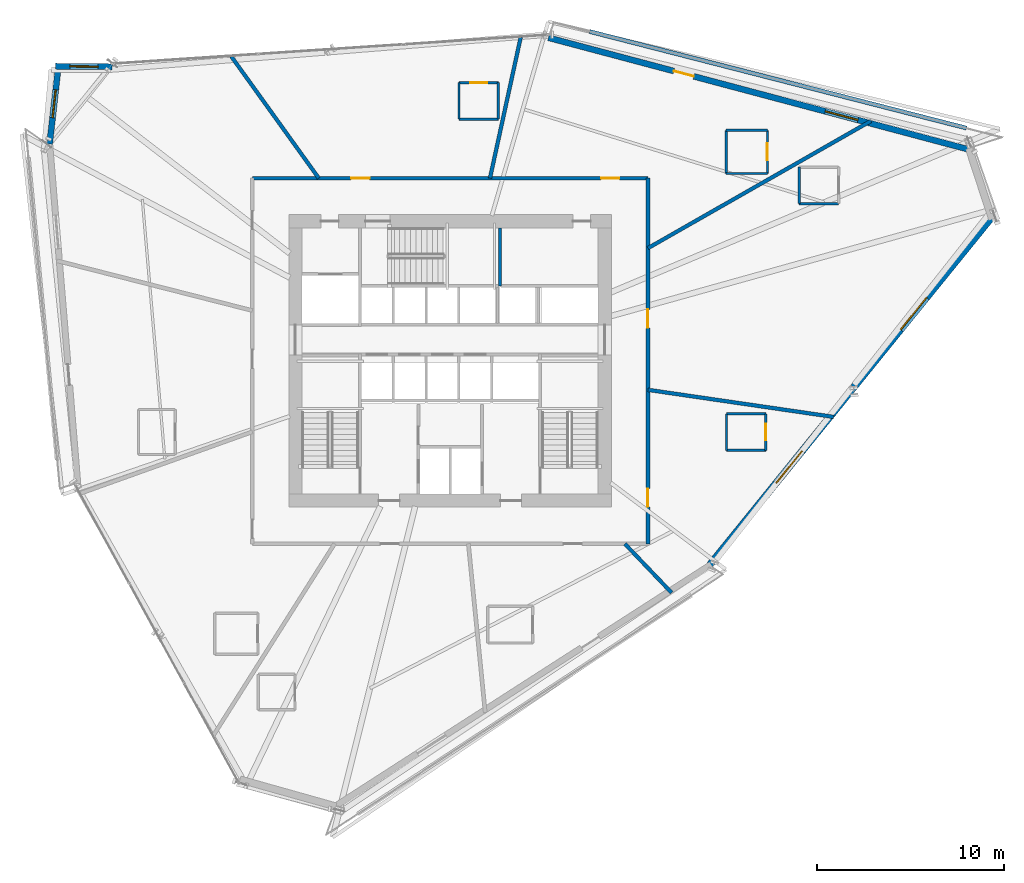
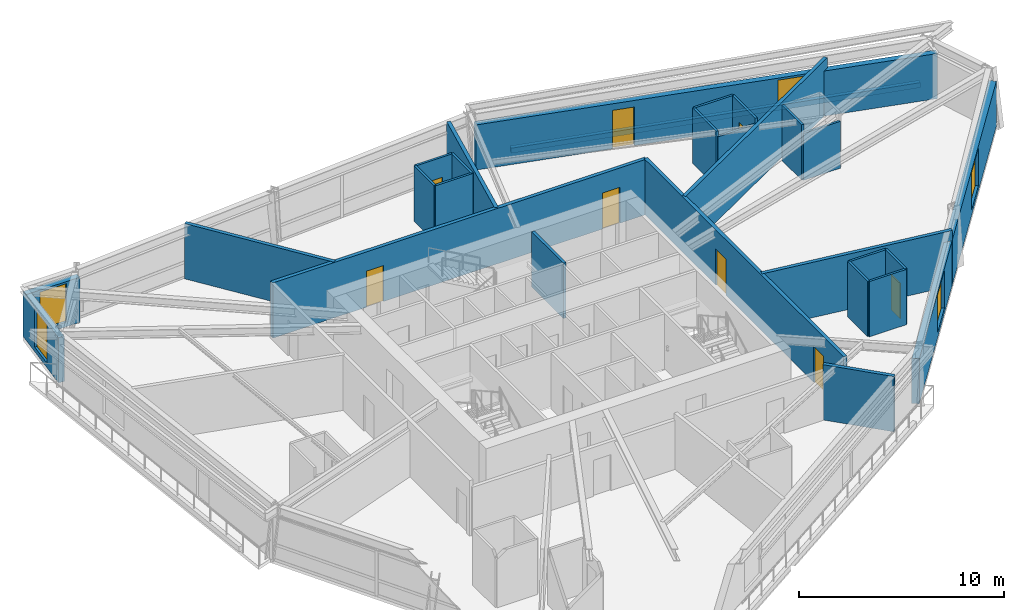
# One storey, part 16 of 21: 27 walls, 8 doors, 5 windows, 13 openings.
"""IFC4 building model written with IfcOpenShell, lengths in metres."""

from ifc_helpers import new_model, si_unit, direction, frame, frame_2d, origin, place, context, subcontext, project, spatial, rectangle, extrude, source, transform, mapped, material, layer, layer_set, type_object, type_shapes, element, fill, save


model = new_model("IFC4")

# Units and contexts
model_context = context("Model", 3, precision=1e-05, world=origin(), true_north=direction((0.0, 1.0)))
body_context = subcontext(model_context, "Body", "Model", "MODEL_VIEW")
ifc_project = project(units=[si_unit("LENGTHUNIT", "METRE"), si_unit("AREAUNIT", "SQUARE_METRE"), si_unit("VOLUMEUNIT", "CUBIC_METRE"), si_unit("PLANEANGLEUNIT", "RADIAN"), si_unit("MASSUNIT", "GRAM", prefix="KILO")], contexts=[model_context])

# Site, building, storey
site_placement = place(None, origin())
site = spatial("IfcSite", under=ifc_project, at=site_placement, CompositionType="ELEMENT")
building_placement = place(site_placement, origin())
building = spatial("IfcBuilding", under=site, at=building_placement, Name="Olszyna Solenne Hotel", CompositionType="ELEMENT")
storey_placement = place(building_placement, frame((0.0, 0.0, 109.25)))
storey = spatial("IfcBuildingStorey", under=building, at=storey_placement, Name="L28", CompositionType="ELEMENT", Elevation=109.25)

# Wall, opening, window
ifc_material_1 = material(Name="Precast concrete C45/55", Category="concrete")
ifc_layer_1 = layer(ifc_material_1, 0.320068359375, Name="Precast concrete C45/55")
ifc_layer_set_1 = layer_set([ifc_layer_1], Name="Precast concrete C45/55")
wall_type_1 = type_object("IfcWallType", Name="WL-EX320", PredefinedType="SOLIDWALL", material=ifc_layer_set_1)
wall_1_placement = place(storey_placement, frame((16.637939453125, 38.17041015625, 0.0), z_axis=(0.0, 0.0, 1.0), x_axis=(0.112143625954, 0.993692008199, 0.0)))
wall_1 = element("IfcWall", 1, at=wall_1_placement, inside=storey, type_object=wall_type_1, Name="Exterior terracotta-precast frame wall WL-EX320 EW-L28-05", PredefinedType="SOLIDWALL", context=body_context, shape_type="SweptSolid", body=[
    extrude(rectangle(XDim=4.3193359375, YDim=0.320068359375, at=frame_2d((2.15966796875, 0.0))), origin(), (0.0, 0.0, 1.0), 2.69189453125),
])
opening_1_placement = place(wall_1_placement, frame((1.409912109375, 0.0, 0.27197265625)))
opening_1 = element("IfcOpeningElement", 2, at=opening_1_placement, cuts=wall_1, Name="Opening WN-L28-156", PredefinedType="OPENING", context=body_context, shape_type="SweptSolid", body=[
    extrude(rectangle(XDim=1.5, YDim=2.300048828125, at=frame_2d((0.75, 1.14990234375))), frame((0.0, 0.169921875, 0.0), z_axis=(0.0, -1.0, 0.0), x_axis=(1.0, 0.0, 0.0)), (0.0, 0.0, 1.0), 0.340087890625),
])
ifc_material_2 = material(Name="Low-E triple glazing", Category="glass")
window_type_1 = type_object("IfcWindowType", Name="WN-CH1", PartitioningType="SINGLE_PANEL", PredefinedType="WINDOW", material=ifc_material_2)
shared_shape_1 = source(origin(), body_context, "Body", "SweptSolid", [
    extrude(rectangle(XDim=1.5, YDim=2.300048828125, at=frame_2d((0.75, 1.14990234375))), frame((0.0, 0.030029296875, 0.0), z_axis=(0.0, -1.0, 0.0), x_axis=(1.0, 0.0, 0.0)), (0.0, 0.0, 1.0), 0.06005859375),
])
type_shapes(window_type_1, [shared_shape_1])
window_1_placement = place(opening_1_placement, origin())
window_1 = element("IfcWindow", 3, at=window_1_placement, inside=storey, type_object=window_type_1, Name="Exterior facade window WN-CH1 WN-L28-156", OverallHeight=2.300048828125, OverallWidth=1.5, PartitioningType="SINGLE_PANEL", PredefinedType="WINDOW", context=body_context, shape_type="MappedRepresentation", body=[
    mapped(shared_shape_1, transform((0.0, 0.0, 0.0), x_axis=(1.0, 0.0, 0.0), y_axis=(0.0, 1.0, 0.0), z_axis=(0.0, 0.0, 1.0), scale=1.0)),
])
fill(opening_1, window_1)

wall_2_placement = place(storey_placement, frame((16.961669921875, 42.3203125, 0.0), z_axis=(0.0, 0.0, 1.0), x_axis=(0.999952850652, -0.009710637054, 0.0)))
wall_2 = element("IfcWall", 4, at=wall_2_placement, inside=storey, type_object=wall_type_1, Name="Exterior terracotta-precast frame wall WL-EX320 EW-L28-06", PredefinedType="SOLIDWALL", context=body_context, shape_type="SweptSolid", body=[
    extrude(rectangle(XDim=3.01708984375, YDim=0.320068359375, at=frame_2d((1.508544921875, 0.0))), origin(), (0.0, 0.0, 1.0), 2.69189453125),
])
opening_2_placement = place(wall_2_placement, frame((0.759033203125, 0.0, 0.27197265625)))
opening_2 = element("IfcOpeningElement", 5, at=opening_2_placement, cuts=wall_2, Name="Opening WN-L28-157", PredefinedType="OPENING", context=body_context, shape_type="SweptSolid", body=[
    extrude(rectangle(XDim=1.5, YDim=2.300048828125, at=frame_2d((0.75, 1.14990234375))), frame((0.0, 0.169921875, 0.0), z_axis=(0.0, -1.0, 0.0), x_axis=(1.0, 0.0, 0.0)), (0.0, 0.0, 1.0), 0.340087890625),
])
window_2_placement = place(opening_2_placement, origin())
window_2 = element("IfcWindow", 6, at=window_2_placement, inside=storey, type_object=window_type_1, Name="Exterior facade window WN-CH1 WN-L28-157", OverallHeight=2.300048828125, OverallWidth=1.5, PartitioningType="SINGLE_PANEL", PredefinedType="WINDOW", context=body_context, shape_type="MappedRepresentation", body=[
    mapped(shared_shape_1, transform((0.0, 0.0, 0.0), x_axis=(1.0, 0.0, 0.0), y_axis=(0.0, 1.0, 0.0), z_axis=(0.0, 0.0, 1.0), scale=1.0)),
])
fill(opening_2, window_2)

# Wall, openings, door, window
wall_3_placement = place(storey_placement, frame((43.2412109375, 43.842529296875, 0.0), z_axis=(0.0, 0.0, 1.0), x_axis=(0.966426577456, -0.256942932161, 0.0)))
wall_3 = element("IfcWall", 7, at=wall_3_placement, inside=storey, type_object=wall_type_1, Name="Exterior terracotta-precast frame wall WL-EX320 EW-L28-08", PredefinedType="SOLIDWALL", context=body_context, shape_type="SweptSolid", body=[
    extrude(rectangle(XDim=23.353271484375, YDim=0.320068359375, at=frame_2d((11.6767578125, 0.0))), origin(), (0.0, 0.0, 1.0), 2.69189453125),
])
opening_3_placement = place(wall_3_placement, frame((6.923095703125, 0.0, 0.0)))
opening_3 = element("IfcOpeningElement", 8, at=opening_3_placement, cuts=wall_3, Name="Opening LDG-L28-1", PredefinedType="OPENING", context=body_context, shape_type="SweptSolid", body=[
    extrude(rectangle(XDim=1.10009765625, YDim=2.300048828125, at=frame_2d((0.550048828125, 1.14990234375))), frame((0.0, 0.169921875, 0.0), z_axis=(0.0, -1.0, 0.0), x_axis=(1.0, 0.0, 0.0)), (0.0, 0.0, 1.0), 0.340087890625),
])
opening_4_placement = place(wall_3_placement, frame((15.281005859375, 0.0, 0.3720703125)))
opening_4 = element("IfcOpeningElement", 9, at=opening_4_placement, cuts=wall_3, Name="Opening WN-L28-158", PredefinedType="OPENING", context=body_context, shape_type="SweptSolid", body=[
    extrude(rectangle(XDim=1.800048828125, YDim=2.199951171875, at=frame_2d((0.89990234375, 1.10009765625))), frame((0.0, 0.169921875, 0.0), z_axis=(0.0, -1.0, 0.0), x_axis=(1.0, 0.0, 0.0)), (0.0, 0.0, 1.0), 0.340087890625),
])
ifc_material_3 = material(Name="Anodised bronze aluminium", Category="aluminium")
door_type_1 = type_object("IfcDoorType", Name="DR-LG1", OperationType="NOTDEFINED", PredefinedType="DOOR", material=ifc_material_3)
shared_shape_2 = source(origin(), body_context, "Body", "SweptSolid", [
    extrude(rectangle(XDim=1.10009765625, YDim=2.300048828125, at=frame_2d((0.550048828125, 1.14990234375))), frame((0.0, 0.02490234375, 0.0), z_axis=(0.0, -1.0, 0.0), x_axis=(1.0, 0.0, 0.0)), (0.0, 0.0, 1.0), 0.050048828125),
])
type_shapes(door_type_1, [shared_shape_2])
door_1_placement = place(opening_3_placement, origin())
door_1 = element("IfcDoor", 10, at=door_1_placement, inside=storey, type_object=door_type_1, Name="Exterior loggia balcony door DR-LG1 LDG-L28-1", OperationType="SINGLE_SWING_RIGHT", OverallHeight=2.300048828125, OverallWidth=1.10009765625, PredefinedType="DOOR", context=body_context, shape_type="MappedRepresentation", body=[
    mapped(shared_shape_2, transform((0.0, 0.0, 0.0), x_axis=(1.0, 0.0, 0.0), y_axis=(0.0, 1.0, 0.0), z_axis=(0.0, 0.0, 1.0), scale=1.0)),
])
fill(opening_3, door_1)
window_type_2 = type_object("IfcWindowType", Name="WN-HT1", PartitioningType="SINGLE_PANEL", PredefinedType="WINDOW", material=ifc_material_2)
shared_shape_3 = source(origin(), body_context, "Body", "SweptSolid", [
    extrude(rectangle(XDim=1.800048828125, YDim=2.199951171875, at=frame_2d((0.89990234375, 1.10009765625))), frame((0.0, 0.030029296875, 0.0), z_axis=(0.0, -1.0, 0.0), x_axis=(1.0, 0.0, 0.0)), (0.0, 0.0, 1.0), 0.06005859375),
])
type_shapes(window_type_2, [shared_shape_3])
window_3_placement = place(opening_4_placement, origin())
window_3 = element("IfcWindow", 11, at=window_3_placement, inside=storey, type_object=window_type_2, Name="Loggia room window WN-HT1 WN-L28-158", OverallHeight=2.199951171875, OverallWidth=1.800048828125, PartitioningType="SINGLE_PANEL", PredefinedType="WINDOW", context=body_context, shape_type="MappedRepresentation", body=[
    mapped(shared_shape_3, transform((0.0, 0.0, 0.0), x_axis=(1.0, 0.0, 0.0), y_axis=(0.0, 1.0, 0.0), z_axis=(0.0, 0.0, 1.0), scale=1.0)),
])
fill(opening_4, window_3)

# Wall, openings, windows
ifc_material_4 = material(Name="Terracotta cladding on precast concrete C45/55", Category="masonry")
ifc_layer_2 = layer(ifc_material_4, 0.3798828125, Name="Terracotta cladding on precast concrete C45/55")
ifc_layer_set_2 = layer_set([ifc_layer_2], Name="Terracotta cladding on precast concrete C45/55")
wall_type_2 = type_object("IfcWallType", Name="WL-EX380", PredefinedType="SOLIDWALL", material=ifc_layer_set_2)
wall_4_placement = place(storey_placement, frame((66.944091796875, 34.333984375, 0.0), z_axis=(0.0, 0.0, 1.0), x_axis=(-0.629923947576, -0.776656822715, 0.0)))
wall_4 = element("IfcWall", 12, at=wall_4_placement, inside=storey, type_object=wall_type_2, Name="Exterior terracotta-precast frame wall WL-EX380 EW-L28-10", PredefinedType="SOLIDWALL", context=body_context, shape_type="SweptSolid", body=[
    extrude(rectangle(XDim=23.95263671875, YDim=0.3798828125, at=frame_2d((11.976318359375, 0.0))), origin(), (0.0, 0.0, 1.0), 2.69189453125),
])
opening_5_placement = place(wall_4_placement, frame((5.60693359375, 0.0, 0.322021484375)))
opening_5 = element("IfcOpeningElement", 13, at=opening_5_placement, cuts=wall_4, Name="Opening WN-L28-159", PredefinedType="OPENING", context=body_context, shape_type="SweptSolid", body=[
    extrude(rectangle(XDim=2.199951171875, YDim=2.25, at=frame_2d((1.10009765625, 1.125))), frame((0.0, 0.199951171875, 0.0), z_axis=(0.0, -1.0, 0.0), x_axis=(1.0, 0.0, 0.0)), (0.0, 0.0, 1.0), 0.39990234375),
])
opening_6_placement = place(wall_4_placement, frame((16.14599609375, 0.0, 0.322021484375)))
opening_6 = element("IfcOpeningElement", 14, at=opening_6_placement, cuts=wall_4, Name="Opening WN-L28-160", PredefinedType="OPENING", context=body_context, shape_type="SweptSolid", body=[
    extrude(rectangle(XDim=2.199951171875, YDim=2.25, at=frame_2d((1.10009765625, 1.125))), frame((0.0, 0.199951171875, 0.0), z_axis=(0.0, -1.0, 0.0), x_axis=(1.0, 0.0, 0.0)), (0.0, 0.0, 1.0), 0.39990234375),
])
window_type_3 = type_object("IfcWindowType", Name="WN-HT2", PartitioningType="SINGLE_PANEL", PredefinedType="WINDOW", material=ifc_material_2)
shared_shape_4 = source(origin(), body_context, "Body", "SweptSolid", [
    extrude(rectangle(XDim=2.199951171875, YDim=2.25, at=frame_2d((1.10009765625, 1.125))), frame((0.0, 0.030029296875, 0.0), z_axis=(0.0, -1.0, 0.0), x_axis=(1.0, 0.0, 0.0)), (0.0, 0.0, 1.0), 0.06005859375),
])
type_shapes(window_type_3, [shared_shape_4])
window_4_placement = place(opening_5_placement, origin())
window_4 = element("IfcWindow", 15, at=window_4_placement, inside=storey, type_object=window_type_3, Name="Exterior facade window WN-HT2 WN-L28-159", OverallHeight=2.25, OverallWidth=2.199951171875, PartitioningType="SINGLE_PANEL", PredefinedType="WINDOW", context=body_context, shape_type="MappedRepresentation", body=[
    mapped(shared_shape_4, transform((0.0, 0.0, 0.0), x_axis=(1.0, 0.0, 0.0), y_axis=(0.0, 1.0, 0.0), z_axis=(0.0, 0.0, 1.0), scale=1.0)),
])
fill(opening_5, window_4)
window_5_placement = place(opening_6_placement, origin())
window_5 = element("IfcWindow", 16, at=window_5_placement, inside=storey, type_object=window_type_3, Name="Exterior facade window WN-HT2 WN-L28-160", OverallHeight=2.25, OverallWidth=2.199951171875, PartitioningType="SINGLE_PANEL", PredefinedType="WINDOW", context=body_context, shape_type="MappedRepresentation", body=[
    mapped(shared_shape_4, transform((0.0, 0.0, 0.0), x_axis=(1.0, 0.0, 0.0), y_axis=(0.0, 1.0, 0.0), z_axis=(0.0, 0.0, 1.0), scale=1.0)),
])
fill(opening_6, window_5)

# Wall
ifc_layer_3 = layer(ifc_material_1, 0.219970703125, Name="Precast concrete C45/55")
ifc_layer_set_3 = layer_set([ifc_layer_3], Name="Precast concrete C45/55")
wall_type_3 = type_object("IfcWallType", Name="WL-PR220", PredefinedType="PARAPET", material=ifc_layer_set_3)
wall_5_placement = place(storey_placement, frame((65.5419921875, 39.02197265625, 0.0), z_axis=(0.0, 0.0, 1.0), x_axis=(-0.968702389273, 0.248225061217, 0.0)))
element("IfcWall", 17, at=wall_5_placement, inside=storey, type_object=wall_type_3, Name="Loggia balcony precast kerb PR-L28-LG1", PredefinedType="PARAPET", context=body_context, shape_type="SweptSolid", body=[
    extrude(rectangle(XDim=20.75390625, YDim=0.219970703125, at=frame_2d((10.376953125, 0.0))), origin(), (0.0, 0.0, 1.0), 0.300048828125),
])

# Wall, opening, door
ifc_material_5 = material(Name="Acoustic gypsum partition", Category="gypsum")
ifc_layer_4 = layer(ifc_material_5, 0.125, Name="Acoustic gypsum partition")
ifc_layer_set_4 = layer_set([ifc_layer_4], Name="Acoustic gypsum partition")
wall_type_4 = type_object("IfcWallType", Name="WL-PT125", PredefinedType="PARTITIONING", material=ifc_layer_set_4)
wall_6_placement = place(storey_placement, frame((54.840087890625, 21.8349609375, 0.0), z_axis=(0.0, 0.0, 1.0), x_axis=(0.0, 1.0, 0.0)))
wall_6 = element("IfcWall", 18, at=wall_6_placement, inside=storey, type_object=wall_type_4, Name="Interior acoustic partition WL-PT125 PW-L28-1638", PredefinedType="PARTITIONING", context=body_context, shape_type="SweptSolid", body=[
    extrude(rectangle(XDim=1.949951171875, YDim=0.125, at=frame_2d((0.97509765625, 0.0))), origin(), (0.0, 0.0, 1.0), 3.300048828125),
])
opening_7_placement = place(wall_6_placement, frame((0.52490234375, 0.0, 0.0)))
opening_7 = element("IfcOpeningElement", 19, at=opening_7_placement, cuts=wall_6, Name="Opening DR-L28-0386", PredefinedType="OPENING", context=body_context, shape_type="SweptSolid", body=[
    extrude(rectangle(XDim=0.89990234375, YDim=2.10009765625, at=frame_2d((0.449951171875, 1.050048828125))), frame((0.0, 0.072509765625, 0.0), z_axis=(0.0, -1.0, 0.0), x_axis=(1.0, 0.0, 0.0)), (0.0, 0.0, 1.0), 0.14501953125),
])
ifc_material_6 = material(Name="Timber hardwood", Category="wood")
door_type_2 = type_object("IfcDoorType", Name="DR-WC1", OperationType="NOTDEFINED", PredefinedType="DOOR", material=ifc_material_6)
shared_shape_5 = source(origin(), body_context, "Body", "SweptSolid", [
    extrude(rectangle(XDim=0.89990234375, YDim=2.10009765625, at=frame_2d((0.449951171875, 1.050048828125))), frame((0.0, 0.02490234375, 0.0), z_axis=(0.0, -1.0, 0.0), x_axis=(1.0, 0.0, 0.0)), (0.0, 0.0, 1.0), 0.050048828125),
])
type_shapes(door_type_2, [shared_shape_5])
door_2_placement = place(opening_7_placement, origin())
door_2 = element("IfcDoor", 20, at=door_2_placement, inside=storey, type_object=door_type_2, Name="En-Suite Bathroom Door DR-L28-0386", OperationType="SINGLE_SWING_LEFT", OverallHeight=2.10009765625, OverallWidth=0.89990234375, PredefinedType="DOOR", context=body_context, shape_type="MappedRepresentation", body=[
    mapped(shared_shape_5, transform((0.0, 0.0, 0.0), x_axis=(1.0, 0.0, 0.0), y_axis=(0.0, 1.0, 0.0), z_axis=(0.0, 0.0, 1.0), scale=1.0)),
])
fill(opening_7, door_2)

# Walls
wall_7_placement = place(storey_placement, frame((54.840087890625, 23.784912109375, 0.0), z_axis=(0.0, 0.0, 1.0), x_axis=(-1.0, 0.0, 0.0)))
element("IfcWall", 21, at=wall_7_placement, inside=storey, type_object=wall_type_4, Name="Interior acoustic partition WL-PT125 PW-L28-1639", PredefinedType="PARTITIONING", context=body_context, shape_type="SweptSolid", body=[
    extrude(rectangle(XDim=2.10009765625, YDim=0.125, at=frame_2d((1.050048828125, 0.0))), origin(), (0.0, 0.0, 1.0), 3.300048828125),
])
wall_8_placement = place(storey_placement, frame((52.739990234375, 23.784912109375, 0.0), z_axis=(0.0, 0.0, 1.0), x_axis=(0.0, -1.0, 0.0)))
element("IfcWall", 22, at=wall_8_placement, inside=storey, type_object=wall_type_4, Name="Interior acoustic partition WL-PT125 PW-L28-1640", PredefinedType="PARTITIONING", context=body_context, shape_type="SweptSolid", body=[
    extrude(rectangle(XDim=1.949951171875, YDim=0.125, at=frame_2d((0.97509765625, 0.0))), origin(), (0.0, 0.0, 1.0), 3.300048828125),
])
wall_9_placement = place(storey_placement, frame((52.739990234375, 21.8349609375, 0.0), z_axis=(0.0, 0.0, 1.0), x_axis=(1.0, 0.0, 0.0)))
element("IfcWall", 23, at=wall_9_placement, inside=storey, type_object=wall_type_4, Name="Interior acoustic partition WL-PT125 PW-L28-1641", PredefinedType="PARTITIONING", context=body_context, shape_type="SweptSolid", body=[
    extrude(rectangle(XDim=2.10009765625, YDim=0.125, at=frame_2d((1.050048828125, 0.0))), origin(), (0.0, 0.0, 1.0), 3.300048828125),
])
wall_10_placement = place(storey_placement, frame((56.6201171875, 36.93994140625, 0.0), z_axis=(0.0, 0.0, 1.0), x_axis=(0.0, -1.0, 0.0)))
element("IfcWall", 24, at=wall_10_placement, inside=storey, type_object=wall_type_4, Name="Interior acoustic partition WL-PT125 PW-L28-1644", PredefinedType="PARTITIONING", context=body_context, shape_type="SweptSolid", body=[
    extrude(rectangle(XDim=1.949951171875, YDim=0.125, at=frame_2d((0.97509765625, 0.0))), origin(), (0.0, 0.0, 1.0), 3.300048828125),
])
wall_11_placement = place(storey_placement, frame((56.6201171875, 34.989990234375, 0.0), z_axis=(0.0, 0.0, 1.0), x_axis=(1.0, 0.0, 0.0)))
element("IfcWall", 25, at=wall_11_placement, inside=storey, type_object=wall_type_4, Name="Interior acoustic partition WL-PT125 PW-L28-1645", PredefinedType="PARTITIONING", context=body_context, shape_type="SweptSolid", body=[
    extrude(rectangle(XDim=2.099853515625, YDim=0.125, at=frame_2d((1.0498046875, 0.0))), origin(), (0.0, 0.0, 1.0), 2.794921875),
])

# Wall, opening, door
wall_12_placement = place(storey_placement, frame((54.925048828125, 36.60205078125, 0.0), z_axis=(0.0, 0.0, 1.0), x_axis=(0.0, 1.0, 0.0)))
wall_12 = element("IfcWall", 26, at=wall_12_placement, inside=storey, type_object=wall_type_4, Name="Interior acoustic partition WL-PT125 PW-L28-1646", PredefinedType="PARTITIONING", context=body_context, shape_type="SweptSolid", body=[
    extrude(rectangle(XDim=2.300048828125, YDim=0.125, at=frame_2d((1.14990234375, 0.0))), origin(), (0.0, 0.0, 1.0), 3.300048828125),
])
opening_8_placement = place(wall_12_placement, frame((0.699951171875, 0.0, 0.0)))
opening_8 = element("IfcOpeningElement", 27, at=opening_8_placement, cuts=wall_12, Name="Opening DR-L28-0388", PredefinedType="OPENING", context=body_context, shape_type="SweptSolid", body=[
    extrude(rectangle(XDim=0.89990234375, YDim=2.10009765625, at=frame_2d((0.449951171875, 1.050048828125))), frame((0.0, 0.072509765625, 0.0), z_axis=(0.0, -1.0, 0.0), x_axis=(1.0, 0.0, 0.0)), (0.0, 0.0, 1.0), 0.14501953125),
])
door_3_placement = place(opening_8_placement, origin())
door_3 = element("IfcDoor", 28, at=door_3_placement, inside=storey, type_object=door_type_2, Name="En-Suite Bathroom Door DR-L28-0388", OperationType="SINGLE_SWING_LEFT", OverallHeight=2.10009765625, OverallWidth=0.89990234375, PredefinedType="DOOR", context=body_context, shape_type="MappedRepresentation", body=[
    mapped(shared_shape_5, transform((0.0, 0.0, 0.0), x_axis=(1.0, 0.0, 0.0), y_axis=(0.0, 1.0, 0.0), z_axis=(0.0, 0.0, 1.0), scale=1.0)),
])
fill(opening_8, door_3)

# Walls
wall_13_placement = place(storey_placement, frame((54.925048828125, 38.902099609375, 0.0), z_axis=(0.0, 0.0, 1.0), x_axis=(-1.0, 0.0, 0.0)))
element("IfcWall", 29, at=wall_13_placement, inside=storey, type_object=wall_type_4, Name="Interior acoustic partition WL-PT125 PW-L28-1647", PredefinedType="PARTITIONING", context=body_context, shape_type="SweptSolid", body=[
    extrude(rectangle(XDim=2.199951171875, YDim=0.125, at=frame_2d((1.10009765625, 0.0))), origin(), (0.0, 0.0, 1.0), 3.300048828125),
])
wall_14_placement = place(storey_placement, frame((52.72509765625, 38.902099609375, 0.0), z_axis=(0.0, 0.0, 1.0), x_axis=(0.0, -1.0, 0.0)))
element("IfcWall", 30, at=wall_14_placement, inside=storey, type_object=wall_type_4, Name="Interior acoustic partition WL-PT125 PW-L28-1648", PredefinedType="PARTITIONING", context=body_context, shape_type="SweptSolid", body=[
    extrude(rectangle(XDim=2.300048828125, YDim=0.125, at=frame_2d((1.14990234375, 0.0))), origin(), (0.0, 0.0, 1.0), 3.300048828125),
])
wall_15_placement = place(storey_placement, frame((52.72509765625, 36.60205078125, 0.0), z_axis=(0.0, 0.0, 1.0), x_axis=(1.0, 0.0, 0.0)))
element("IfcWall", 31, at=wall_15_placement, inside=storey, type_object=wall_type_4, Name="Interior acoustic partition WL-PT125 PW-L28-1649", PredefinedType="PARTITIONING", context=body_context, shape_type="SweptSolid", body=[
    extrude(rectangle(XDim=2.199951171875, YDim=0.125, at=frame_2d((1.10009765625, 0.0))), origin(), (0.0, 0.0, 1.0), 2.985107421875),
])
wall_16_placement = place(storey_placement, frame((40.573974609375, 39.498046875, 0.0), z_axis=(0.0, 0.0, 1.0), x_axis=(0.0, 1.0, 0.0)))
element("IfcWall", 32, at=wall_16_placement, inside=storey, type_object=wall_type_4, Name="Interior acoustic partition WL-PT125 PW-L28-1650", PredefinedType="PARTITIONING", context=body_context, shape_type="SweptSolid", body=[
    extrude(rectangle(XDim=1.949951171875, YDim=0.125, at=frame_2d((0.97509765625, 0.0))), origin(), (0.0, 0.0, 1.0), 3.300048828125),
])

# Wall, opening, door
wall_17_placement = place(storey_placement, frame((40.573974609375, 41.447998046875, 0.0), z_axis=(0.0, 0.0, 1.0), x_axis=(-1.0, 0.0, 0.0)))
wall_17 = element("IfcWall", 33, at=wall_17_placement, inside=storey, type_object=wall_type_4, Name="Interior acoustic partition WL-PT125 PW-L28-1651", PredefinedType="PARTITIONING", context=body_context, shape_type="SweptSolid", body=[
    extrude(rectangle(XDim=2.099853515625, YDim=0.125, at=frame_2d((1.0498046875, 0.0))), origin(), (0.0, 0.0, 1.0), 3.300048828125),
])
opening_9_placement = place(wall_17_placement, frame((0.60009765625, 0.0, 0.0)))
opening_9 = element("IfcOpeningElement", 34, at=opening_9_placement, cuts=wall_17, Name="Opening DR-L28-0389", PredefinedType="OPENING", context=body_context, shape_type="SweptSolid", body=[
    extrude(rectangle(XDim=0.89990234375, YDim=2.10009765625, at=frame_2d((0.449951171875, 1.050048828125))), frame((0.0, 0.072509765625, 0.0), z_axis=(0.0, -1.0, 0.0), x_axis=(1.0, 0.0, 0.0)), (0.0, 0.0, 1.0), 0.14501953125),
])
door_4_placement = place(opening_9_placement, origin())
door_4 = element("IfcDoor", 35, at=door_4_placement, inside=storey, type_object=door_type_2, Name="En-Suite Bathroom Door DR-L28-0389", OperationType="SINGLE_SWING_RIGHT", OverallHeight=2.10009765625, OverallWidth=0.89990234375, PredefinedType="DOOR", context=body_context, shape_type="MappedRepresentation", body=[
    mapped(shared_shape_5, transform((0.0, 0.0, 0.0), x_axis=(1.0, 0.0, 0.0), y_axis=(0.0, 1.0, 0.0), z_axis=(0.0, 0.0, 1.0), scale=1.0)),
])
fill(opening_9, door_4)

# Walls
wall_18_placement = place(storey_placement, frame((38.47412109375, 41.447998046875, 0.0), z_axis=(0.0, 0.0, 1.0), x_axis=(0.0, -1.0, 0.0)))
element("IfcWall", 36, at=wall_18_placement, inside=storey, type_object=wall_type_4, Name="Interior acoustic partition WL-PT125 PW-L28-1652", PredefinedType="PARTITIONING", context=body_context, shape_type="SweptSolid", body=[
    extrude(rectangle(XDim=1.949951171875, YDim=0.125, at=frame_2d((0.97509765625, 0.0))), origin(), (0.0, 0.0, 1.0), 3.300048828125),
])
wall_19_placement = place(storey_placement, frame((38.47412109375, 39.498046875, 0.0), z_axis=(0.0, 0.0, 1.0), x_axis=(1.0, 0.0, 0.0)))
element("IfcWall", 37, at=wall_19_placement, inside=storey, type_object=wall_type_4, Name="Interior acoustic partition WL-PT125 PW-L28-1653", PredefinedType="PARTITIONING", context=body_context, shape_type="SweptSolid", body=[
    extrude(rectangle(XDim=2.099853515625, YDim=0.125, at=frame_2d((1.0498046875, 0.0))), origin(), (0.0, 0.0, 1.0), 3.300048828125),
])
ifc_layer_5 = layer(ifc_material_5, 0.159912109375, Name="Acoustic gypsum partition")
ifc_layer_set_5 = layer_set([ifc_layer_5], Name="Acoustic gypsum partition")
wall_type_5 = type_object("IfcWallType", Name="WL-PT160", PredefinedType="PARTITIONING", material=ifc_layer_set_5)
wall_20_placement = place(storey_placement, frame((40.659912109375, 30.60009765625, 0.0), z_axis=(0.0, 0.0, 1.0), x_axis=(0.0, 1.0, 0.0)))
element("IfcWall", 38, at=wall_20_placement, inside=storey, type_object=wall_type_5, Name="Core shaft compartment wall CW-L28-ST3E", PredefinedType="PARTITIONING", context=body_context, shape_type="SweptSolid", body=[
    extrude(rectangle(XDim=3.099853515625, YDim=0.159912109375, at=frame_2d((1.5498046875, 0.0))), origin(), (0.0, 0.0, 1.0), 3.300048828125),
])
ifc_layer_6 = layer(ifc_material_5, 0.199951171875, Name="Acoustic gypsum partition")
ifc_layer_set_6 = layer_set([ifc_layer_6], Name="Acoustic gypsum partition")
wall_type_6 = type_object("IfcWallType", Name="WL-PT200", PredefinedType="PARTITIONING", material=ifc_layer_set_6)
wall_21_placement = place(storey_placement, frame((47.3173828125, 16.85009765625, 0.0), z_axis=(0.0, 0.0, 1.0), x_axis=(0.690838930263, -0.723008694576, 0.0)))
element("IfcWall", 39, at=wall_21_placement, inside=storey, type_object=wall_type_6, Name="Interior acoustic partition WL-PT200 PW-L28-1620", PredefinedType="PARTITIONING", context=body_context, shape_type="SweptSolid", body=[
    extrude(rectangle(XDim=3.612548828125, YDim=0.199951171875, at=frame_2d((1.80615234375, 0.0))), origin(), (0.0, 0.0, 1.0), 3.300048828125),
])
wall_22_placement = place(storey_placement, frame((48.550048828125, 25.060791015625, 0.0), z_axis=(0.0, 0.0, 1.0), x_axis=(0.989528192481, -0.144339725252, 0.0)))
element("IfcWall", 40, at=wall_22_placement, inside=storey, type_object=wall_type_6, Name="Interior acoustic partition WL-PT200 PW-L28-1621", PredefinedType="PARTITIONING", context=body_context, shape_type="SweptSolid", body=[
    extrude(rectangle(XDim=10.011474609375, YDim=0.199951171875, at=frame_2d((5.005859375, 0.0))), origin(), (0.0, 0.0, 1.0), 3.300048828125),
])
wall_23_placement = place(storey_placement, frame((48.550048828125, 32.61767578125, 0.0), z_axis=(0.0, 0.0, 1.0), x_axis=(0.868633427324, 0.495455314771, 0.0)))
element("IfcWall", 41, at=wall_23_placement, inside=storey, type_object=wall_type_6, Name="Interior acoustic partition WL-PT200 PW-L28-1622", PredefinedType="PARTITIONING", context=body_context, shape_type="SweptSolid", body=[
    extrude(rectangle(XDim=13.69482421875, YDim=0.199951171875, at=frame_2d((6.847412109375, 0.0))), origin(), (0.0, 0.0, 1.0), 3.300048828125),
])
wall_24_placement = place(storey_placement, frame((40.125732421875, 36.35009765625, 0.0), z_axis=(0.0, 0.0, 1.0), x_axis=(0.213047548257, 0.97704183236, 0.0)))
element("IfcWall", 42, at=wall_24_placement, inside=storey, type_object=wall_type_6, Name="Interior acoustic partition WL-PT200 PW-L28-1623", PredefinedType="PARTITIONING", context=body_context, shape_type="SweptSolid", body=[
    extrude(rectangle(XDim=7.692626953125, YDim=0.199951171875, at=frame_2d((3.84619140625, 0.0))), origin(), (0.0, 0.0, 1.0), 3.300048828125),
])
wall_25_placement = place(storey_placement, frame((30.993896484375, 36.35009765625, 0.0), z_axis=(0.0, 0.0, 1.0), x_axis=(-0.583535361987, 0.812087730058, 0.0)))
element("IfcWall", 43, at=wall_25_placement, inside=storey, type_object=wall_type_6, Name="Interior acoustic partition WL-PT200 PW-L28-1624", PredefinedType="PARTITIONING", context=body_context, shape_type="SweptSolid", body=[
    extrude(rectangle(XDim=7.994384765625, YDim=0.199951171875, at=frame_2d((3.9970703125, 0.0))), origin(), (0.0, 0.0, 1.0), 3.300048828125),
])

# Wall, openings, doors
wall_26_placement = place(storey_placement, frame((27.449951171875, 36.35009765625, 0.0), z_axis=(0.0, 0.0, 1.0), x_axis=(1.0, 0.0, 0.0)))
wall_26 = element("IfcWall", 44, at=wall_26_placement, inside=storey, type_object=wall_type_6, Name="Interior acoustic partition WL-PT200 PW-L28-1660", PredefinedType="PARTITIONING", context=body_context, shape_type="SweptSolid", body=[
    extrude(rectangle(XDim=21.10009765625, YDim=0.199951171875, at=frame_2d((10.550048828125, 0.0))), origin(), (0.0, 0.0, 1.0), 3.300048828125),
])
opening_10_placement = place(wall_26_placement, frame((18.597900390625, 0.0, 0.0)))
opening_10 = element("IfcOpeningElement", 45, at=opening_10_placement, cuts=wall_26, Name="Opening DR-L28-0396", PredefinedType="OPENING", context=body_context, shape_type="SweptSolid", body=[
    extrude(rectangle(XDim=0.97998046875, YDim=2.14990234375, at=frame_2d((0.489990234375, 1.074951171875))), frame((0.0, 0.10986328125, 0.0), z_axis=(0.0, -1.0, 0.0), x_axis=(1.0, 0.0, 0.0)), (0.0, 0.0, 1.0), 0.219970703125),
])
opening_11_placement = place(wall_26_placement, frame((5.27294921875, 0.0, 0.0)))
opening_11 = element("IfcOpeningElement", 46, at=opening_11_placement, cuts=wall_26, Name="Opening DR-L28-0397", PredefinedType="OPENING", context=body_context, shape_type="SweptSolid", body=[
    extrude(rectangle(XDim=0.97998046875, YDim=2.14990234375, at=frame_2d((0.489990234375, 1.074951171875))), frame((0.0, 0.10986328125, 0.0), z_axis=(0.0, -1.0, 0.0), x_axis=(1.0, 0.0, 0.0)), (0.0, 0.0, 1.0), 0.219970703125),
])
door_type_3 = type_object("IfcDoorType", Name="DR-RM1", OperationType="NOTDEFINED", PredefinedType="DOOR", material=ifc_material_6)
shared_shape_6 = source(origin(), body_context, "Body", "SweptSolid", [
    extrude(rectangle(XDim=0.97998046875, YDim=2.14990234375, at=frame_2d((0.489990234375, 1.074951171875))), frame((0.0, 0.02490234375, 0.0), z_axis=(0.0, -1.0, 0.0), x_axis=(1.0, 0.0, 0.0)), (0.0, 0.0, 1.0), 0.050048828125),
])
type_shapes(door_type_3, [shared_shape_6])
door_5_placement = place(opening_10_placement, origin())
door_5 = element("IfcDoor", 47, at=door_5_placement, inside=storey, type_object=door_type_3, Name="Premier King Suite Entrance Door DR-L28-0396", OperationType="SINGLE_SWING_RIGHT", OverallHeight=2.14990234375, OverallWidth=0.97998046875, PredefinedType="DOOR", context=body_context, shape_type="MappedRepresentation", body=[
    mapped(shared_shape_6, transform((0.0, 0.0, 0.0), x_axis=(1.0, 0.0, 0.0), y_axis=(0.0, 1.0, 0.0), z_axis=(0.0, 0.0, 1.0), scale=1.0)),
])
fill(opening_10, door_5)
door_6_placement = place(opening_11_placement, origin())
door_6 = element("IfcDoor", 48, at=door_6_placement, inside=storey, type_object=door_type_3, Name="Premier King Suite Entrance Door DR-L28-0397", OperationType="SINGLE_SWING_LEFT", OverallHeight=2.14990234375, OverallWidth=0.97998046875, PredefinedType="DOOR", context=body_context, shape_type="MappedRepresentation", body=[
    mapped(shared_shape_6, transform((0.0, 0.0, 0.0), x_axis=(1.0, 0.0, 0.0), y_axis=(0.0, 1.0, 0.0), z_axis=(0.0, 0.0, 1.0), scale=1.0)),
])
fill(opening_11, door_6)

wall_27_placement = place(storey_placement, frame((48.550048828125, 16.85009765625, 0.0), z_axis=(0.0, 0.0, 1.0), x_axis=(0.0, 1.0, 0.0)))
wall_27 = element("IfcWall", 49, at=wall_27_placement, inside=storey, type_object=wall_type_6, Name="Interior acoustic partition WL-PT200 PW-L28-1661", PredefinedType="PARTITIONING", context=body_context, shape_type="SweptSolid", body=[
    extrude(rectangle(XDim=19.5, YDim=0.199951171875, at=frame_2d((9.75, 0.0))), origin(), (0.0, 0.0, 1.0), 3.300048828125),
])
opening_12_placement = place(wall_27_placement, frame((1.962890625, 0.0, 0.0)))
opening_12 = element("IfcOpeningElement", 50, at=opening_12_placement, cuts=wall_27, Name="Opening DR-L28-0398", PredefinedType="OPENING", context=body_context, shape_type="SweptSolid", body=[
    extrude(rectangle(XDim=0.97998046875, YDim=2.14990234375, at=frame_2d((0.489990234375, 1.074951171875))), frame((0.0, 0.10986328125, 0.0), z_axis=(0.0, -1.0, 0.0), x_axis=(1.0, 0.0, 0.0)), (0.0, 0.0, 1.0), 0.219970703125),
])
opening_13_placement = place(wall_27_placement, frame((11.52001953125, 0.0, 0.0)))
opening_13 = element("IfcOpeningElement", 51, at=opening_13_placement, cuts=wall_27, Name="Opening DR-L28-0399", PredefinedType="OPENING", context=body_context, shape_type="SweptSolid", body=[
    extrude(rectangle(XDim=0.97998046875, YDim=2.14990234375, at=frame_2d((0.489990234375, 1.074951171875))), frame((0.0, 0.10986328125, 0.0), z_axis=(0.0, -1.0, 0.0), x_axis=(1.0, 0.0, 0.0)), (0.0, 0.0, 1.0), 0.219970703125),
])
door_7_placement = place(opening_12_placement, origin())
door_7 = element("IfcDoor", 52, at=door_7_placement, inside=storey, type_object=door_type_3, Name="Deluxe Hotel Guestroom Entrance Door DR-L28-0398", OperationType="SINGLE_SWING_RIGHT", OverallHeight=2.14990234375, OverallWidth=0.97998046875, PredefinedType="DOOR", context=body_context, shape_type="MappedRepresentation", body=[
    mapped(shared_shape_6, transform((0.0, 0.0, 0.0), x_axis=(1.0, 0.0, 0.0), y_axis=(0.0, 1.0, 0.0), z_axis=(0.0, 0.0, 1.0), scale=1.0)),
])
fill(opening_12, door_7)
door_8_placement = place(opening_13_placement, origin())
door_8 = element("IfcDoor", 53, at=door_8_placement, inside=storey, type_object=door_type_3, Name="Deluxe Hotel Guestroom Entrance Door DR-L28-0399", OperationType="SINGLE_SWING_LEFT", OverallHeight=2.14990234375, OverallWidth=0.97998046875, PredefinedType="DOOR", context=body_context, shape_type="MappedRepresentation", body=[
    mapped(shared_shape_6, transform((0.0, 0.0, 0.0), x_axis=(1.0, 0.0, 0.0), y_axis=(0.0, 1.0, 0.0), z_axis=(0.0, 0.0, 1.0), scale=1.0)),
])
fill(opening_13, door_8)

save(model, "model.ifc")
